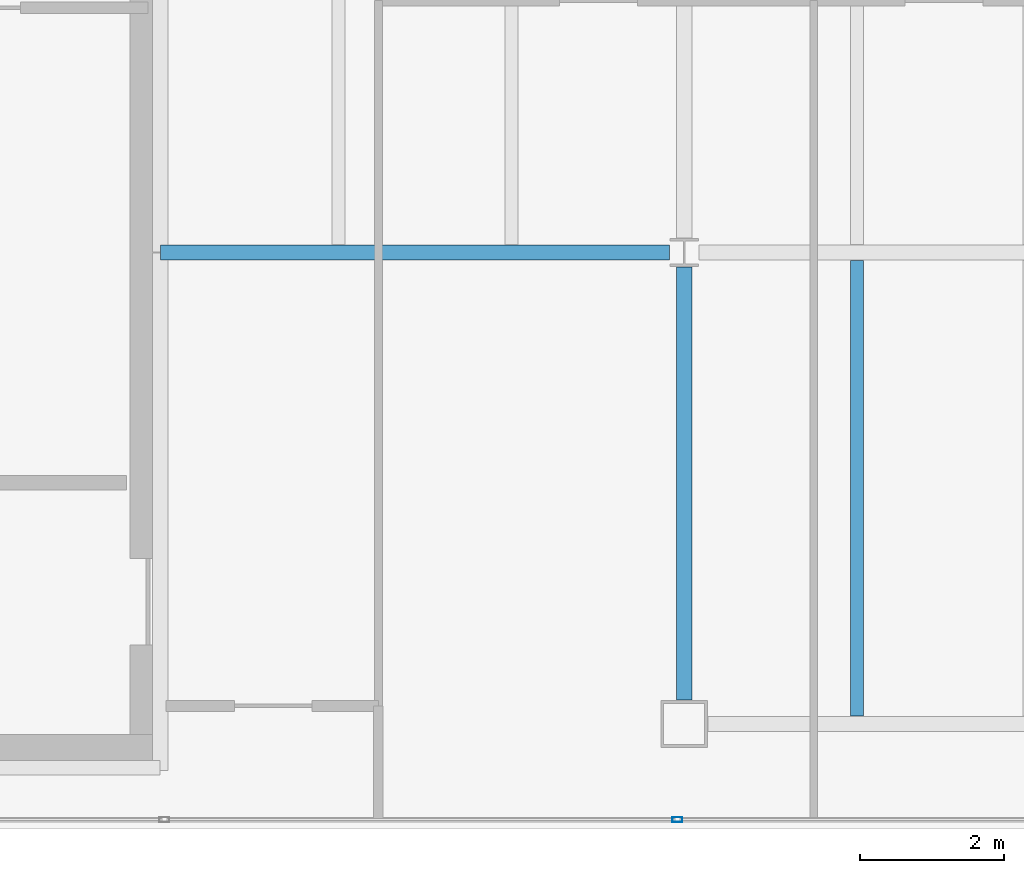
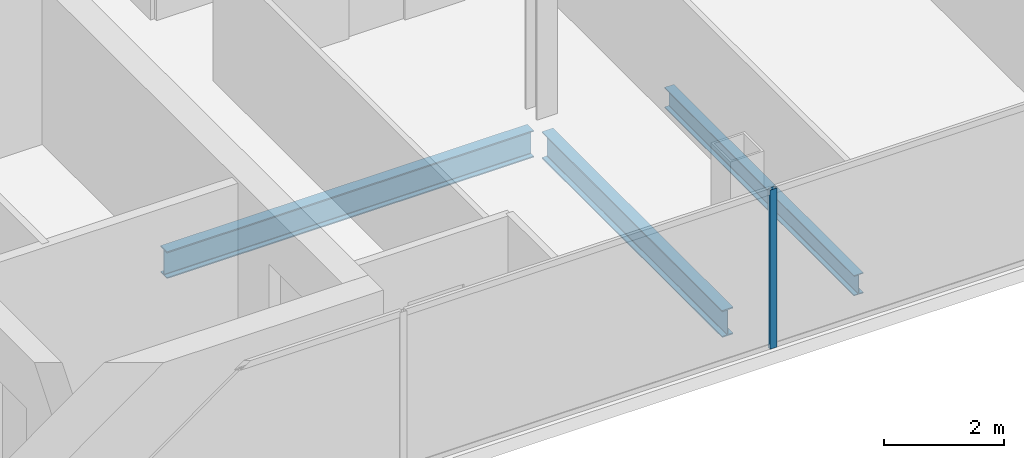
# One storey, part 5 of 23: 3 beams, 1 member, 1 element without a shape of its own.
"""IFC4 building model written with IfcOpenShell, lengths in metres."""

from ifc_helpers import new_model, si_unit, direction, frame, origin, origin_2d, place, context, subcontext, project, spatial, hollow_rectangle, i_section, extrude, material, material_profile, profile_set, type_object, element, aggregate, save


model = new_model("IFC4")

# Units and contexts
model_context = context("Model", 3, precision=1e-05, world=origin(), true_north=direction((0.0, 1.0)))
body_context = subcontext(model_context, "Body", "Model", "MODEL_VIEW")
ifc_project = project(units=[si_unit("LENGTHUNIT", "METRE"), si_unit("AREAUNIT", "SQUARE_METRE"), si_unit("VOLUMEUNIT", "CUBIC_METRE"), si_unit("PLANEANGLEUNIT", "RADIAN"), si_unit("MASSUNIT", "GRAM", prefix="KILO")], contexts=[model_context])

# Site, building, storey
site_placement = place(None, origin())
site = spatial("IfcSite", under=ifc_project, at=site_placement, CompositionType="ELEMENT")
building_placement = place(site_placement, origin())
building = spatial("IfcBuilding", under=site, at=building_placement, Name="Cobrela Telecom Tower", CompositionType="ELEMENT")
storey_placement = place(building_placement, frame((0.0, 0.0, 265.64990234375)))
storey = spatial("IfcBuildingStorey", under=building, at=storey_placement, Name="L69", CompositionType="ELEMENT", Elevation=265.64990234375)

# Beams
ifc_material_1 = material(Name="Steel ASTM A992 Grade 50", Category="steel")
ifc_material_profile_1 = material_profile(ifc_material_1, i_section(OverallWidth=0.212890625, OverallDepth=0.549072265625, WebThickness=0.0146484375, FlangeThickness=0.023681640625, FilletRadius=0.013916015625, at=origin_2d()), Name="W21X93")
ifc_profile_set_1 = profile_set([ifc_material_profile_1], Name="Steel ASTM A992 Grade 50")
beam_type_1 = type_object("IfcBeamType", Name="BM-GIRD-08", PredefinedType="USERDEFINED", material=ifc_profile_set_1)
beam_1_placement = place(storey_placement, frame((14.324951171875, 14.39990234375, -0.534423828125), z_axis=(1.0, 0.0, 0.0), x_axis=(0.0, 1.0, 0.0)))
element("IfcBeam", 1, at=beam_1_placement, inside=storey, type_object=beam_type_1, Name="L69 Primary Girder X05", ObjectType="GIRDER", PredefinedType="USERDEFINED", context=body_context, shape_type="SweptSolid", body=[
    extrude(i_section(OverallWidth=0.212890625, OverallDepth=0.549072265625, WebThickness=0.0146484375, FlangeThickness=0.023681640625, FilletRadius=0.013916015625, at=origin_2d()), origin(), (0.0, 0.0, 1.0), 7.070556640625),
])
beam_2_placement = place(storey_placement, frame((21.60009765625, 8.179931640625, -0.534423828125), z_axis=(0.0, 1.0, 0.0), x_axis=(-1.0, 0.0, 0.0)))
element("IfcBeam", 2, at=beam_2_placement, inside=storey, type_object=beam_type_1, Name="L69 Primary Girder Y27", ObjectType="GIRDER", PredefinedType="USERDEFINED", context=body_context, shape_type="SweptSolid", body=[
    extrude(i_section(OverallWidth=0.212890625, OverallDepth=0.549072265625, WebThickness=0.0146484375, FlangeThickness=0.023681640625, FilletRadius=0.013916015625, at=origin_2d()), origin(), (0.0, 0.0, 1.0), 6.015625),
])
ifc_material_profile_2 = material_profile(ifc_material_1, i_section(OverallWidth=0.179931640625, OverallDepth=0.4169921875, WebThickness=0.010986328125, FlangeThickness=0.01806640625, FilletRadius=0.011962890625, at=origin_2d()), Name="W16X57")
ifc_profile_set_2 = profile_set([ifc_material_profile_2], Name="Steel ASTM A992 Grade 50")
beam_type_2 = type_object("IfcBeamType", Name="BM-JOIST-04", PredefinedType="JOIST", material=ifc_profile_set_2)
beam_3_placement = place(storey_placement, frame((24.0, 7.96142578125, -0.468505859375), z_axis=(0.0, 1.0, 0.0), x_axis=(-1.0, 0.0, 0.0)))
element("IfcBeam", 3, at=beam_3_placement, inside=storey, type_object=beam_type_2, Name="L69 Secondary Composite Floor Beam J07", PredefinedType="JOIST", context=body_context, shape_type="SweptSolid", body=[
    extrude(i_section(OverallWidth=0.179931640625, OverallDepth=0.4169921875, WebThickness=0.010986328125, FlangeThickness=0.01806640625, FilletRadius=0.011962890625, at=origin_2d()), origin(), (0.0, 0.0, 1.0), 6.3271484375),
])

# Curtain wall, member
ifc_material_2 = material(Name="Anodized Bronze Aluminium 6063-T6", Category="aluminium")
curtain_wall_type = type_object("IfcCurtainWallType", Name="CW-SYS-OFF-HI", PredefinedType="USERDEFINED", material=ifc_material_2)
curtain_wall_placement = place(storey_placement, origin())
curtain_wall = element("IfcCurtainWall", 4, at=curtain_wall_placement, inside=storey, type_object=curtain_wall_type, Name="L69 Unitised Bronze Curtain Wall 15", ObjectType="UNITISED CURTAIN WALL", PredefinedType="USERDEFINED")
ifc_material_profile_3 = material_profile(ifc_material_2, hollow_rectangle(XDim=0.070068359375, YDim=0.139892578125, WallThickness=0.00390625, at=origin_2d()), Name="ALU 70x140x4")
ifc_profile_set_3 = profile_set([ifc_material_profile_3], Name="Anodized Bronze Aluminium 6063-T6")
member_type = type_object("IfcMemberType", Name="CW-SYS-OFF-HI-MUL", PredefinedType="MULLION", material=ifc_profile_set_3)
member_placement = place(storey_placement, frame((21.5048828125, 6.52001953125, 0.0), z_axis=(0.0, 0.0, 1.0), x_axis=(0.0, -1.0, 0.0)))
member = element("IfcMember", 5, at=member_placement, type_object=member_type, Name="CW-OFF-HI mullion 4", PredefinedType="MULLION", context=body_context, shape_type="SweptSolid", body=[
    extrude(hollow_rectangle(XDim=0.070068359375, YDim=0.139892578125, WallThickness=0.00390625, at=origin_2d()), origin(), (0.0, 0.0, 1.0), 3.239990234375),
])
aggregate(curtain_wall, [member])

save(model, "model.ifc")
